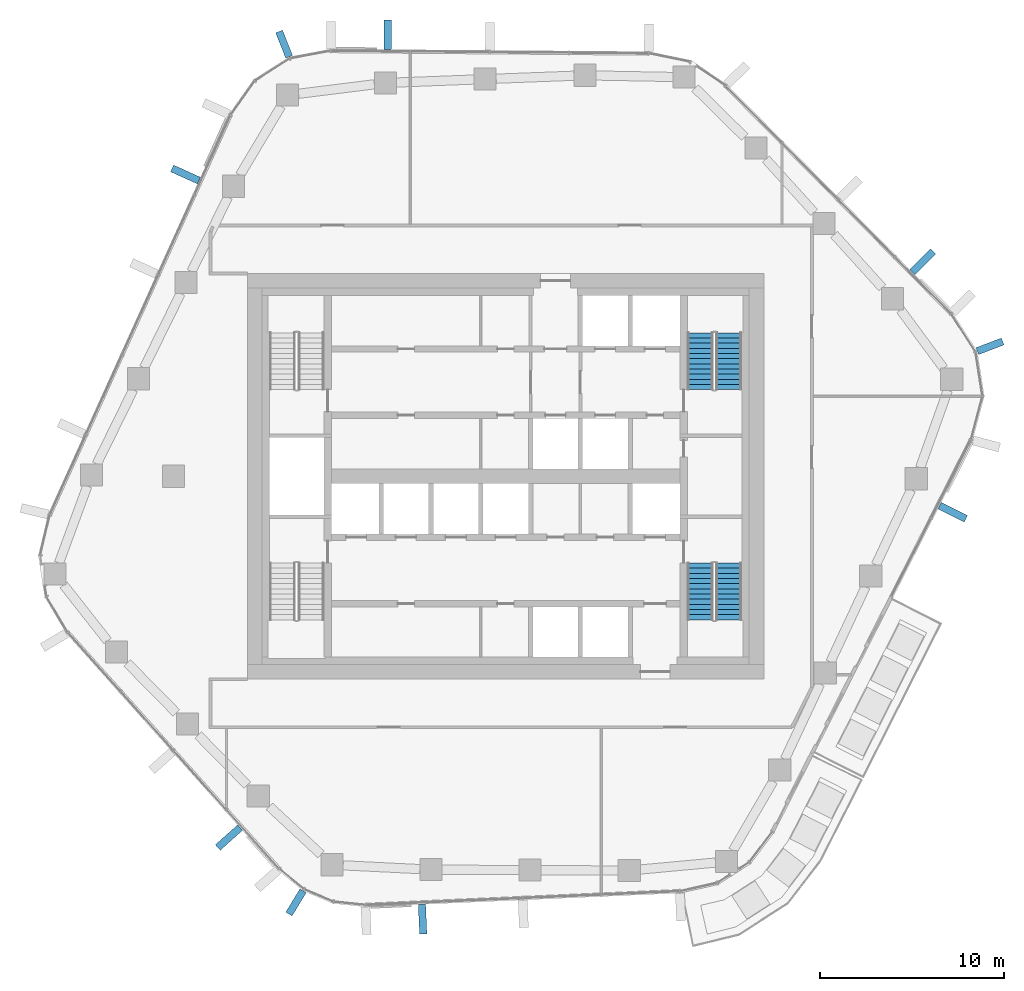
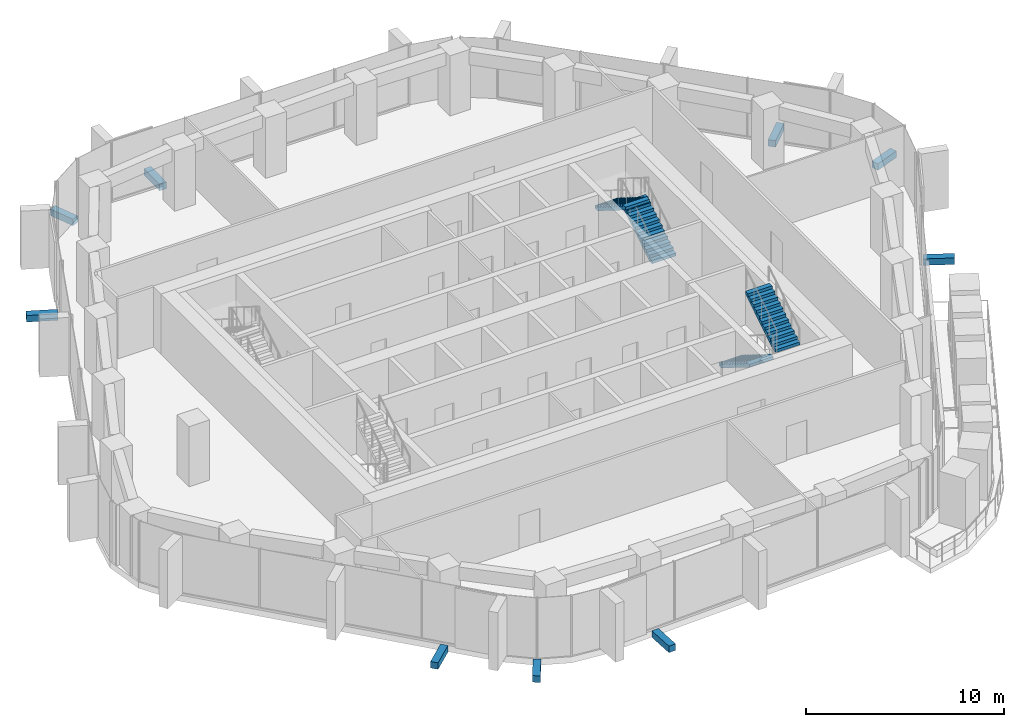
# One storey, part 13 of 17: 9 discrete accessories, 4 stair flights, 2 elements without a shape of their own.
"""IFC4 building model written with IfcOpenShell, lengths in metres."""

from ifc_helpers import new_model, si_unit, direction, frame, origin, origin_2d, place, context, subcontext, project, spatial, polyline, rectangle, outline, extrude, material, layer, layer_set, type_object, element, aggregate, save


model = new_model("IFC4")

# Units and contexts
model_context = context("Model", 3, precision=1e-05, world=origin(), true_north=direction((0.0, 1.0)))
body_context = subcontext(model_context, "Body", "Model", "MODEL_VIEW")
ifc_project = project(units=[si_unit("LENGTHUNIT", "METRE"), si_unit("AREAUNIT", "SQUARE_METRE"), si_unit("VOLUMEUNIT", "CUBIC_METRE"), si_unit("PLANEANGLEUNIT", "RADIAN"), si_unit("MASSUNIT", "GRAM", prefix="KILO")], contexts=[model_context])

# Site, building, storey
site_placement = place(None, origin())
site = spatial("IfcSite", under=ifc_project, at=site_placement, CompositionType="ELEMENT")
building_placement = place(site_placement, origin())
building = spatial("IfcBuilding", under=site, at=building_placement, Name="Dongbaek Canopy Tower", CompositionType="ELEMENT")
storey_placement = place(building_placement, frame((0.0, 0.0, 179.60009765625)))
storey = spatial("IfcBuildingStorey", under=building, at=storey_placement, Name="L39", CompositionType="ELEMENT", Elevation=179.60009765625)

# Stair, stair flights
ifc_material_1 = material(Name="Concrete C40/50", Category="concrete")
stair_type = type_object("IfcStairType", Name="Core exit stair", PredefinedType="HALF_TURN_STAIR", material=ifc_material_1)
stair_1_placement = place(storey_placement, origin())
stair_1 = element("IfcStair", 1, at=stair_1_placement, inside=storey, type_object=stair_type, Name="L39 exit stair A", PredefinedType="HALF_TURN_STAIR")
ifc_material_2 = material(Name="Concrete C40/50", Category="concrete")
ifc_layer = layer(ifc_material_2, 0.14990234375)
ifc_layer_set = layer_set([ifc_layer], Name="Core stair flight 150 waist")
stair_flight_type = type_object("IfcStairFlightType", Name="Core stair flight 150 waist", PredefinedType="STRAIGHT", material=ifc_layer_set)
stair_flight_1_placement = place(storey_placement, frame((12.10009765625, 4.699951171875, 0.0), z_axis=(0.0, 0.0, 1.0), x_axis=(0.0, 1.0, 0.0)))
stair_flight_1 = element("IfcStairFlight", 2, at=stair_flight_1_placement, type_object=stair_flight_type, Name="ST-A flight 1", NumberOfRisers=12, NumberOfTreads=11, PredefinedType="STRAIGHT", RiserHeight=0.175, TreadLength=0.28, context=body_context, shape_type="SweptSolid", body=[
    extrude(outline(polyline([(0.0, 0.0), (0.0, 0.175048828125), (0.280029296875, 0.175048828125), (0.280029296875, 0.35009765625), (0.56005859375, 0.35009765625), (0.56005859375, 0.52490234375), (0.840087890625, 0.52490234375), (0.840087890625, 0.699951171875), (1.1201171875, 0.699951171875), (1.1201171875, 0.875), (1.39990234375, 0.875), (1.39990234375, 1.050048828125), (1.679931640625, 1.050048828125), (1.679931640625, 1.22509765625), (1.9599609375, 1.22509765625), (1.9599609375, 1.39990234375), (2.239990234375, 1.39990234375), (2.239990234375, 1.574951171875), (2.52001953125, 1.574951171875), (2.52001953125, 1.75), (2.800048828125, 1.75), (2.800048828125, 1.925048828125), (3.080078125, 1.925048828125), (3.080078125, 2.10009765625), (3.080078125, 1.748291015625), (0.28271484375, 0.0), (0.0, 0.0)])), frame((0.0, 0.699951171875, 0.0), z_axis=(0.0, -1.0, 0.0), x_axis=(1.0, 0.0, 0.0)), (0.0, 0.0, 1.0), 1.39990234375),
])
stair_flight_2_placement = place(storey_placement, frame((10.550048828125, 7.780029296875, 2.099853515625), z_axis=(0.0, 0.0, 1.0), x_axis=(0.0, -1.0, 0.0)))
stair_flight_2 = element("IfcStairFlight", 3, at=stair_flight_2_placement, type_object=stair_flight_type, Name="ST-A flight 2", NumberOfRisers=12, NumberOfTreads=11, PredefinedType="STRAIGHT", RiserHeight=0.175, TreadLength=0.28, context=body_context, shape_type="SweptSolid", body=[
    extrude(outline(polyline([(0.0, 0.0), (0.0, 0.175048828125), (0.280029296875, 0.175048828125), (0.280029296875, 0.35009765625), (0.56005859375, 0.35009765625), (0.56005859375, 0.52490234375), (0.840087890625, 0.52490234375), (0.840087890625, 0.699951171875), (1.1201171875, 0.699951171875), (1.1201171875, 0.875), (1.39990234375, 0.875), (1.39990234375, 1.050048828125), (1.679931640625, 1.050048828125), (1.679931640625, 1.22509765625), (1.9599609375, 1.22509765625), (1.9599609375, 1.39990234375), (2.239990234375, 1.39990234375), (2.239990234375, 1.574951171875), (2.52001953125, 1.574951171875), (2.52001953125, 1.75), (2.800048828125, 1.75), (2.800048828125, 1.925048828125), (3.080078125, 1.925048828125), (3.080078125, 2.10009765625), (3.080078125, 1.748291015625), (0.28271484375, 0.0), (0.0, 0.0)])), frame((0.0, 0.699951171875, 0.0), z_axis=(0.0, -1.0, 0.0), x_axis=(1.0, 0.0, 0.0)), (0.0, 0.0, 1.0), 1.39990234375),
])
aggregate(stair_1, [stair_flight_1, stair_flight_2])

stair_2_placement = place(storey_placement, origin())
stair_2 = element("IfcStair", 4, at=stair_2_placement, inside=storey, type_object=stair_type, Name="L39 exit stair B", PredefinedType="HALF_TURN_STAIR")
stair_flight_3_placement = place(storey_placement, frame((10.550048828125, -4.699951171875, 0.0), z_axis=(0.0, 0.0, 1.0), x_axis=(0.0, -1.0, 0.0)))
stair_flight_3 = element("IfcStairFlight", 5, at=stair_flight_3_placement, type_object=stair_flight_type, Name="ST-B flight 1", NumberOfRisers=12, NumberOfTreads=11, PredefinedType="STRAIGHT", RiserHeight=0.175, TreadLength=0.28, context=body_context, shape_type="SweptSolid", body=[
    extrude(outline(polyline([(0.0, 0.0), (0.0, 0.175048828125), (0.280029296875, 0.175048828125), (0.280029296875, 0.35009765625), (0.56005859375, 0.35009765625), (0.56005859375, 0.52490234375), (0.840087890625, 0.52490234375), (0.840087890625, 0.699951171875), (1.1201171875, 0.699951171875), (1.1201171875, 0.875), (1.39990234375, 0.875), (1.39990234375, 1.050048828125), (1.679931640625, 1.050048828125), (1.679931640625, 1.22509765625), (1.9599609375, 1.22509765625), (1.9599609375, 1.39990234375), (2.239990234375, 1.39990234375), (2.239990234375, 1.574951171875), (2.52001953125, 1.574951171875), (2.52001953125, 1.75), (2.800048828125, 1.75), (2.800048828125, 1.925048828125), (3.080078125, 1.925048828125), (3.080078125, 2.10009765625), (3.080078125, 1.748291015625), (0.28271484375, 0.0), (0.0, 0.0)])), frame((0.0, 0.699951171875, 0.0), z_axis=(0.0, -1.0, 0.0), x_axis=(1.0, 0.0, 0.0)), (0.0, 0.0, 1.0), 1.39990234375),
])
stair_flight_4_placement = place(storey_placement, frame((12.10009765625, -7.780029296875, 2.099853515625), z_axis=(0.0, 0.0, 1.0), x_axis=(0.0, 1.0, 0.0)))
stair_flight_4 = element("IfcStairFlight", 6, at=stair_flight_4_placement, type_object=stair_flight_type, Name="ST-B flight 2", NumberOfRisers=12, NumberOfTreads=11, PredefinedType="STRAIGHT", RiserHeight=0.175, TreadLength=0.28, context=body_context, shape_type="SweptSolid", body=[
    extrude(outline(polyline([(0.0, 0.0), (0.0, 0.175048828125), (0.280029296875, 0.175048828125), (0.280029296875, 0.35009765625), (0.56005859375, 0.35009765625), (0.56005859375, 0.52490234375), (0.840087890625, 0.52490234375), (0.840087890625, 0.699951171875), (1.1201171875, 0.699951171875), (1.1201171875, 0.875), (1.39990234375, 0.875), (1.39990234375, 1.050048828125), (1.679931640625, 1.050048828125), (1.679931640625, 1.22509765625), (1.9599609375, 1.22509765625), (1.9599609375, 1.39990234375), (2.239990234375, 1.39990234375), (2.239990234375, 1.574951171875), (2.52001953125, 1.574951171875), (2.52001953125, 1.75), (2.800048828125, 1.75), (2.800048828125, 1.925048828125), (3.080078125, 1.925048828125), (3.080078125, 2.10009765625), (3.080078125, 1.748291015625), (0.28271484375, 0.0), (0.0, 0.0)])), frame((0.0, 0.699951171875, 0.0), z_axis=(0.0, -1.0, 0.0), x_axis=(1.0, 0.0, 0.0)), (0.0, 0.0, 1.0), 1.39990234375),
])
aggregate(stair_2, [stair_flight_3, stair_flight_4])

# Discrete accessories
ifc_material_3 = material(Name="Galvanised steel S355 bracket", Category="steel")
discrete_accessory_type = type_object("IfcDiscreteAccessoryType", Name="Crease fin bracket BR3 400", PredefinedType="BRACKET", material=ifc_material_3)
discrete_accessory_1_placement = place(storey_placement, frame((24.23291015625, -1.948486328125, -0.39013671875), z_axis=(0.0, 0.0, 1.0), x_axis=(0.892013002142, -0.452009738844, 0.0)))
element("IfcDiscreteAccessory", 7, at=discrete_accessory_1_placement, inside=storey, type_object=discrete_accessory_type, Name="Crease fin bracket L39 F5", PredefinedType="BRACKET", context=body_context, shape_type="SweptSolid", body=[
    extrude(rectangle(XDim=1.587890625, YDim=0.39990234375, at=origin_2d()), origin(), (0.0, 0.0, 1.0), 0.39990234375),
])
discrete_accessory_2_placement = place(storey_placement, frame((22.61279296875, 11.632568359375, -0.39013671875), z_axis=(0.0, 0.0, 1.0), x_axis=(0.710990961759, 0.703201146399, 0.0)))
element("IfcDiscreteAccessory", 8, at=discrete_accessory_2_placement, inside=storey, type_object=discrete_accessory_type, Name="Crease fin bracket L39 F0", PredefinedType="BRACKET", context=body_context, shape_type="SweptSolid", body=[
    extrude(rectangle(XDim=1.590576171875, YDim=0.39990234375, at=origin_2d()), origin(), (0.0, 0.0, 1.0), 0.39990234375),
])
discrete_accessory_3_placement = place(storey_placement, frame((-6.3974609375, 23.935791015625, -0.39013671875), z_axis=(0.0, 0.0, 1.0), x_axis=(0.007846919787, 0.999969212451, 0.0)))
element("IfcDiscreteAccessory", 9, at=discrete_accessory_3_placement, inside=storey, type_object=discrete_accessory_type, Name="Crease fin bracket L39 F1", PredefinedType="BRACKET", context=body_context, shape_type="SweptSolid", body=[
    extrude(rectangle(XDim=1.5947265625, YDim=0.39990234375, at=origin_2d()), origin(), (0.0, 0.0, 1.0), 0.39990234375),
])
discrete_accessory_4_placement = place(storey_placement, frame((-17.356689453125, 16.35986328125, -0.39013671875), z_axis=(0.0, 0.0, 1.0), x_axis=(-0.911147411539, 0.412080567907, 0.0)))
element("IfcDiscreteAccessory", 10, at=discrete_accessory_4_placement, inside=storey, type_object=discrete_accessory_type, Name="Crease fin bracket L39 F2", PredefinedType="BRACKET", context=body_context, shape_type="SweptSolid", body=[
    extrude(rectangle(XDim=1.595458984375, YDim=0.39990234375, at=origin_2d()), origin(), (0.0, 0.0, 1.0), 0.39990234375),
])
discrete_accessory_5_placement = place(storey_placement, frame((-15.003662109375, -19.585693359375, -0.39013671875), z_axis=(0.0, 0.0, 1.0), x_axis=(-0.745210704021, -0.666829068512, 0.0)))
element("IfcDiscreteAccessory", 11, at=discrete_accessory_5_placement, inside=storey, type_object=discrete_accessory_type, Name="Crease fin bracket L39 F3", PredefinedType="BRACKET", context=body_context, shape_type="SweptSolid", body=[
    extrude(rectangle(XDim=1.6162109375, YDim=0.39990234375, at=origin_2d()), origin(), (0.0, 0.0, 1.0), 0.39990234375),
])
discrete_accessory_6_placement = place(storey_placement, frame((-4.50439453125, -24.01220703125, -0.39013671875), z_axis=(0.0, 0.0, 1.0), x_axis=(0.043640311373, -0.9990473078, 0.0)))
element("IfcDiscreteAccessory", 12, at=discrete_accessory_6_placement, inside=storey, type_object=discrete_accessory_type, Name="Crease fin bracket L39 F4", PredefinedType="BRACKET", context=body_context, shape_type="SweptSolid", body=[
    extrude(rectangle(XDim=1.611083984375, YDim=0.39990234375, at=origin_2d()), origin(), (0.0, 0.0, 1.0), 0.39990234375),
])
for number, where, z_axis, x_axis, name in (
    (13, (26.255126953125, 7.0458984375, -0.39013671875), (0.0, 0.0, 1.0), (0.934627201465, 0.355629012149, 0.0), "Corner fin bracket L39 K0"),
    (14, (-12.010986328125, 23.42529296875, -0.39013671875), (0.0, 0.0, 1.0), (-0.367936304274, 0.929850996664, 0.0), "Corner fin bracket L39 K2"),
    (15, (-11.3681640625, -23.102783203125, -0.39013671875), (0.0, 0.0, 1.0), (-0.519286447955, -0.854600248637, 0.0), "Corner fin bracket L39 K4"),
):
    element("IfcDiscreteAccessory", number, at=place(storey_placement, frame(where, z_axis=z_axis, x_axis=x_axis)), inside=storey, type_object=discrete_accessory_type, Name=name, PredefinedType="BRACKET", context=body_context, shape_type="SweptSolid", body=[
        extrude(rectangle(XDim=1.469970703125, YDim=0.39990234375, at=origin_2d()), origin(), (0.0, 0.0, 1.0), 0.39990234375),
    ])

save(model, "model.ifc")
